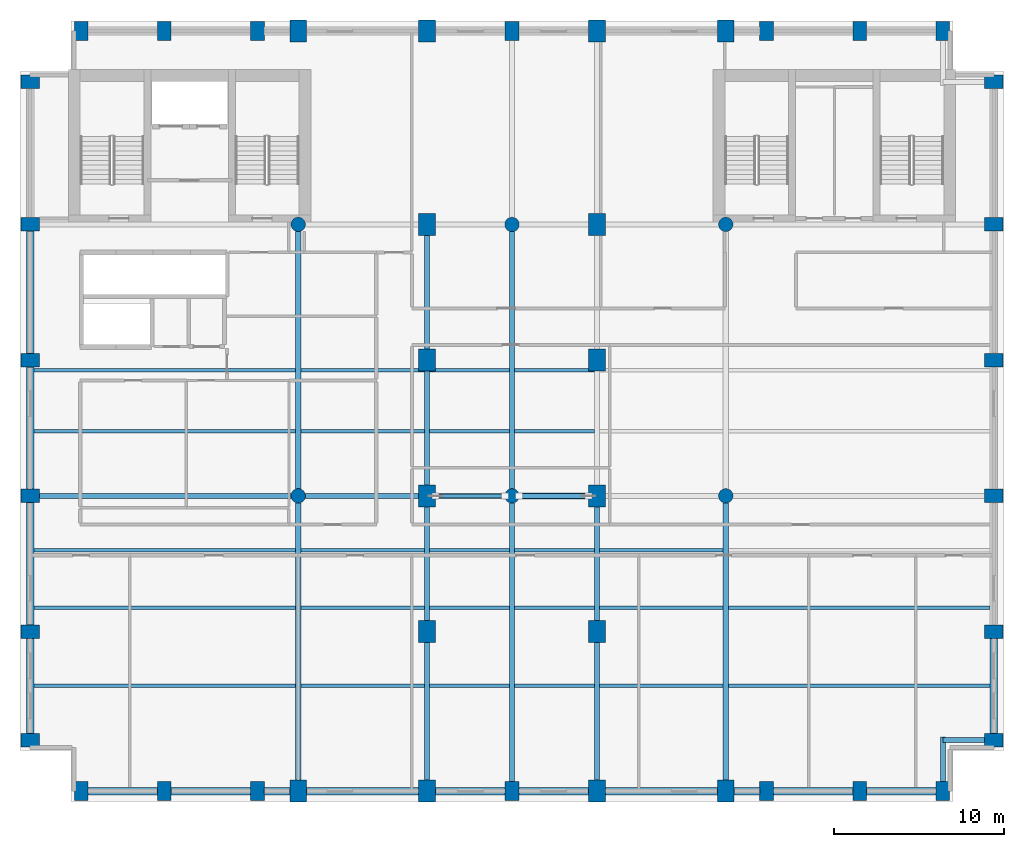
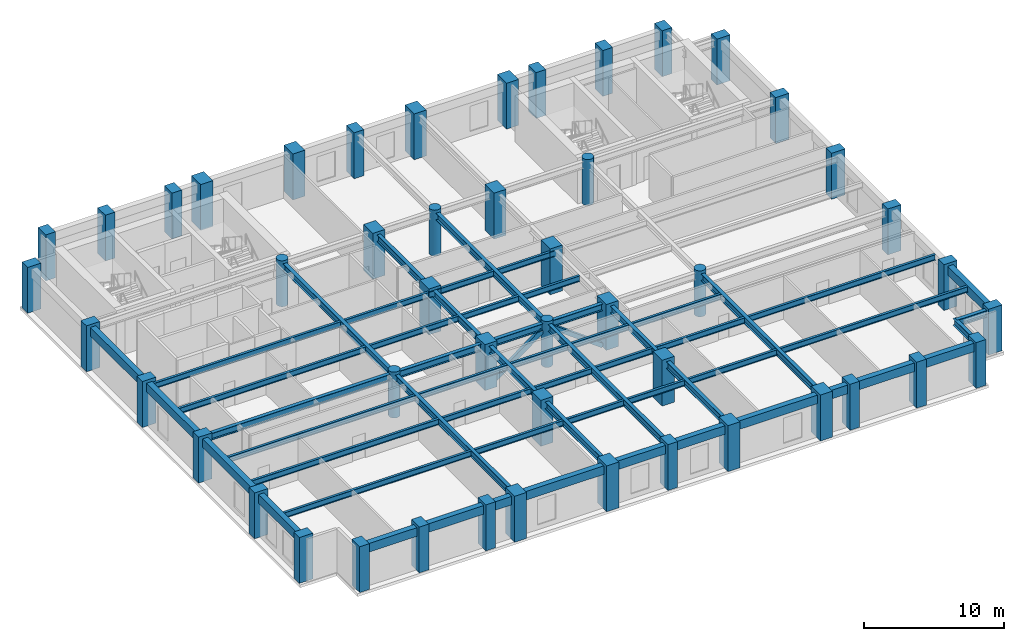
# One storey, part 1 of 10: 54 beams, 48 columns, 2 members.
"""IFC4 building model written with IfcOpenShell, lengths in metres."""

import ifcopenshell
import ifcopenshell.guid

model = None  # the IFC model being written
_history = None  # IfcOwnerHistory: only IFC2X3 demands one
_inside = {}  # id of a spatial element -> (the spatial element, [elements in it])
_under = {}  # id of a project, library or spatial element -> (it, [spatial elements below it])
_declared = {}  # id of a project -> (the project, [libraries it declares])
_typed = {}  # id of a type object -> (the type object, [elements of that type])
_made_of = {}  # id of a material, layer set ... -> (it, [elements and type objects made of it])


def new_model(schema):
    """Start an empty IFC model of exactly this schema.

    Asked for "IFC4X3", IfcOpenShell would pick the latest addendum, in which some entities
    have other attributes; the version numbers below select the first issue.
    IFC2X3 requires an IfcOwnerHistory on every rooted entity: one is made here for all.
    """
    global model, _history
    if schema == "IFC4X3":
        model = ifcopenshell.file(schema_version=(4, 3, 0, 0))
    else:
        model = ifcopenshell.file(schema=schema)
    _inside.clear()
    _under.clear()
    _declared.clear()
    _typed.clear()
    _made_of.clear()
    _history = None
    if model.schema == "IFC2X3":
        org = make("IfcOrganization", Name="unknown")
        user = make(
            "IfcPersonAndOrganization",
            ThePerson=make("IfcPerson", FamilyName="unknown"),
            TheOrganization=org,
        )
        app = make(
            "IfcApplication",
            ApplicationDeveloper=org,
            Version="unknown",
            ApplicationFullName="unknown",
            ApplicationIdentifier="unknown",
        )
        _history = make(
            "IfcOwnerHistory",
            OwningUser=user,
            OwningApplication=app,
            ChangeAction="ADDED",
            CreationDate=0,
        )
    return model


def make(cls, **values):
    """One entity of the class cls with the attributes given. An attribute that is None is left unset."""
    return model.create_entity(
        cls, **{name: value for name, value in values.items() if value is not None}
    )


def rooted(cls, **values):
    """An entity with a GlobalId (a new one), such as an element, a storey or a relation."""
    return make(cls, GlobalId=ifcopenshell.guid.new(), OwnerHistory=_history, **values)


def si_unit(unit_type, name, prefix=None):
    """IfcSIUnit, for example si_unit("LENGTHUNIT", "METRE", prefix="MILLI")."""
    return make("IfcSIUnit", UnitType=unit_type, Prefix=prefix, Name=name)


def assignment(units):
    """IfcUnitAssignment: the units of a project."""
    return None if units is None else make("IfcUnitAssignment", Units=units)


def point(xyz):
    """IfcCartesianPoint."""
    return None if xyz is None else make("IfcCartesianPoint", Coordinates=xyz)


def direction(xyz):
    """IfcDirection."""
    return None if xyz is None else make("IfcDirection", DirectionRatios=xyz)


def frame(location, z_axis=None, x_axis=None):
    """IfcAxis2Placement3D, a coordinate frame: its origin and axes. An axis left out is left unset."""
    return make(
        "IfcAxis2Placement3D",
        Location=point(location),
        Axis=direction(z_axis),
        RefDirection=direction(x_axis),
    )


def frame_2d(location, x_axis=None):
    """IfcAxis2Placement2D, a coordinate frame in the plane: its origin and x axis."""
    return make(
        "IfcAxis2Placement2D", Location=point(location), RefDirection=direction(x_axis)
    )


def origin():
    """The frame at (0, 0, 0) with its axes left unset."""
    return frame((0.0, 0.0, 0.0))


def origin_2d():
    """The frame at (0, 0) in the plane with its x axis left unset."""
    return frame_2d((0.0, 0.0))


def place(relative_to, where):
    """IfcLocalPlacement: puts the frame where relative to a parent placement (None: the world)."""
    return make(
        "IfcLocalPlacement", PlacementRelTo=relative_to, RelativePlacement=where
    )


def context(
    kind, dimensions, precision=None, world=None, true_north=None, identifier=None
):
    """IfcGeometricRepresentationContext, for example the 3D "Model" context."""
    return make(
        "IfcGeometricRepresentationContext",
        ContextIdentifier=identifier,
        ContextType=kind,
        CoordinateSpaceDimension=dimensions,
        Precision=precision,
        WorldCoordinateSystem=world,
        TrueNorth=true_north,
    )


def subcontext(parent, identifier, kind, view, scale=None):
    """IfcGeometricRepresentationSubContext, for example "Body" below "Model"."""
    return make(
        "IfcGeometricRepresentationSubContext",
        ContextIdentifier=identifier,
        ContextType=kind,
        ParentContext=parent,
        TargetScale=scale,
        TargetView=view,
    )


def project(units=None, contexts=None):
    """IfcProject with its units and contexts."""
    return rooted(
        "IfcProject",
        Name="project",
        RepresentationContexts=contexts,
        UnitsInContext=assignment(units),
    )


def spatial(cls, under=None, at=None, **own):
    """A site, building, storey or space (cls), placed at a placement, below another one or the project."""
    s = rooted(cls, ObjectPlacement=at, **own)
    if under is not None:
        _under.setdefault(under.id(), (under, []))[1].append(s)
    return s


def profile(cls, at=None, kind="AREA", **sizes):
    """A parametric profile (cls). Its sizes go by their IFC names, for example OverallWidth=200.0."""
    return make(cls, ProfileType=kind, Position=at, **sizes)


def rectangle(**sizes):
    """IfcRectangleProfileDef."""
    return profile("IfcRectangleProfileDef", **sizes)


def hollow_rectangle(**sizes):
    """IfcRectangleHollowProfileDef."""
    return profile("IfcRectangleHollowProfileDef", **sizes)


def circle(**sizes):
    """IfcCircleProfileDef."""
    return profile("IfcCircleProfileDef", **sizes)


def i_section(**sizes):
    """IfcIShapeProfileDef."""
    return profile("IfcIShapeProfileDef", **sizes)


def extrude(swept, where, along, depth):
    """IfcExtrudedAreaSolid: the profile swept, set in the frame where, extruded along a direction by depth."""
    return make(
        "IfcExtrudedAreaSolid",
        SweptArea=swept,
        Position=where,
        ExtrudedDirection=direction(along),
        Depth=depth,
    )


def shape(context_of_items, identifier, shape_type, items):
    """IfcShapeRepresentation: the items that make up one representation, for example the "Body"."""
    return make(
        "IfcShapeRepresentation",
        ContextOfItems=context_of_items,
        RepresentationIdentifier=identifier,
        RepresentationType=shape_type,
        Items=items,
    )


def material(Name=None, Category=None):
    """IfcMaterial."""
    return make("IfcMaterial", Name=Name, Category=Category)


def material_profile(
    of_material, cross_section, Name=None, Category=None, Priority=None
):
    """IfcMaterialProfile: a cross section and its material."""
    return make(
        "IfcMaterialProfile",
        Name=Name,
        Material=of_material,
        Profile=cross_section,
        Priority=Priority,
        Category=Category,
    )


def profile_set(profiles, Name=None, composite=None):
    """IfcMaterialProfileSet."""
    return make(
        "IfcMaterialProfileSet",
        Name=Name,
        MaterialProfiles=profiles,
        CompositeProfile=composite,
    )


def made_of(thing, what):
    """Note that an element or type object is made of a material, layer set ...; save() writes the relation."""
    if what is not None:
        _made_of.setdefault(what.id(), (what, []))[1].append(thing)
    return thing


def type_object(cls, material=None, **own):
    """A type object (cls), such as IfcWallType, which elements share."""
    return made_of(rooted(cls, **own), material)


def element(
    cls,
    number,
    at=None,
    inside=None,
    cuts=None,
    type_object=None,
    material=None,
    context=None,
    identifier="Body",
    shape_type=None,
    held_by="IfcProductDefinitionShape",
    body=None,
    shapes=None,
    **own,
):
    """One element of the class cls, such as IfcWall. Its Tag is "e" and its number.

    at: its placement. inside: the storey or other place that contains it. cuts: it is an
    opening in that element (IfcRelVoidsElement). A single representation is given by context,
    identifier, shape_type and body (its items); several are given by shapes. held_by: the class
    of the entity that holds the representations. save() writes the other relations.
    """
    e = rooted(cls, Tag="e%d" % number, ObjectPlacement=at, **own)
    if body is not None:
        shapes = [shape(context, identifier, shape_type, body)]
    if shapes is not None:
        e.Representation = make(held_by, Representations=shapes)
    if inside is not None:
        _inside.setdefault(inside.id(), (inside, []))[1].append(e)
    if cuts is not None:
        rooted(
            "IfcRelVoidsElement", RelatingBuildingElement=cuts, RelatedOpeningElement=e
        )
    if type_object is not None:
        _typed.setdefault(type_object.id(), (type_object, []))[1].append(e)
    return made_of(e, material)


def aggregate(whole, parts):
    """IfcRelAggregates: a whole, such as a stair, and the parts it consists of."""
    return rooted("IfcRelAggregates", RelatingObject=whole, RelatedObjects=parts)


def save(model, path):
    """Write the relations noted so far, then the file.

    IfcRelAggregates (storeys below a building ...), IfcRelContainedInSpatialStructure (elements
    in a storey), IfcRelDefinesByType, IfcRelAssociatesMaterial and IfcRelDeclares: one each for
    every whole, place, type object, material and project.
    """
    for whole, parts in _under.values():
        aggregate(whole, parts)
    for where, things in _inside.values():
        rooted(
            "IfcRelContainedInSpatialStructure",
            RelatedElements=things,
            RelatingStructure=where,
        )
    for kind, things in _typed.values():
        rooted("IfcRelDefinesByType", RelatedObjects=things, RelatingType=kind)
    for what, things in _made_of.values():
        rooted("IfcRelAssociatesMaterial", RelatedObjects=things, RelatingMaterial=what)
    for by, libraries in _declared.values():
        rooted("IfcRelDeclares", RelatingContext=by, RelatedDefinitions=libraries)
    model.write(path)


model = new_model("IFC4")

# Units and contexts
model_context = context("Model", 3, precision=1e-05, world=origin(), true_north=direction((0.0, 1.0)))
body_context = subcontext(model_context, "Body", "Model", "MODEL_VIEW")
ifc_project = project(units=[si_unit("LENGTHUNIT", "METRE"), si_unit("AREAUNIT", "SQUARE_METRE"), si_unit("VOLUMEUNIT", "CUBIC_METRE"), si_unit("PLANEANGLEUNIT", "RADIAN"), si_unit("MASSUNIT", "GRAM", prefix="KILO")], contexts=[model_context])

# Site, building, storey
site_placement = place(None, origin())
site = spatial("IfcSite", under=ifc_project, at=site_placement, CompositionType="ELEMENT")
building_placement = place(site_placement, origin())
building = spatial("IfcBuilding", under=site, at=building_placement, Name="Sulina Concourse Tower", CompositionType="ELEMENT")
storey_placement = place(building_placement, frame((0.0, 0.0, 210.60009765625)))
storey = spatial("IfcBuildingStorey", under=building, at=storey_placement, Name="L51", CompositionType="ELEMENT", Elevation=210.60009765625)

# Columns
ifc_material_1 = material(Name="Precast concrete C60/75", Category="concrete")
ifc_material_profile_1 = material_profile(ifc_material_1, rectangle(XDim=0.800048828125, YDim=1.10009765625, at=origin_2d()), Name="PC 800x1100")
ifc_profile_set_1 = profile_set([ifc_material_profile_1], Name="Precast concrete C60/75")
column_type_1 = type_object("IfcColumnType", Name="Precast Tube Pier Zone 3 800x1100", PredefinedType="COLUMN", material=ifc_profile_set_1)
for number, where, z_axis, x_axis, name in (
    (1, (3.60009765625, 0.60009765625, 0.0), (0.0, 0.0, 1.0), (1.0, 0.0, 0.0), "L51 structural column TP-S-36"),
    (2, (3.60009765625, 45.39990234375, 0.0), (0.0, 0.0, 1.0), (1.0, 0.0, 0.0), "L51 structural column TP-N-36"),
    (3, (8.5, 0.60009765625, 0.0), (0.0, 0.0, 1.0), (1.0, 0.0, 0.0), "L51 structural column TP-S-85"),
    (4, (8.5, 45.39990234375, 0.0), (0.0, 0.0, 1.0), (1.0, 0.0, 0.0), "L51 structural column TP-N-85"),
    (5, (14.0, 0.60009765625, 0.0), (0.0, 0.0, 1.0), (1.0, 0.0, 0.0), "L51 structural column TP-S-140"),
    (6, (14.0, 45.39990234375, 0.0), (0.0, 0.0, 1.0), (1.0, 0.0, 0.0), "L51 structural column TP-N-140"),
    (7, (29.0, 0.60009765625, 0.0), (0.0, 0.0, 1.0), (1.0, 0.0, 0.0), "L51 structural column TP-S-290"),
    (8, (29.0, 45.39990234375, 0.0), (0.0, 0.0, 1.0), (1.0, 0.0, 0.0), "L51 structural column TP-N-290"),
    (9, (44.0, 0.60009765625, 0.0), (0.0, 0.0, 1.0), (1.0, 0.0, 0.0), "L51 structural column TP-S-440"),
    (10, (44.0, 45.39990234375, 0.0), (0.0, 0.0, 1.0), (1.0, 0.0, 0.0), "L51 structural column TP-N-440"),
    (11, (49.5, 0.60009765625, 0.0), (0.0, 0.0, 1.0), (1.0, 0.0, 0.0), "L51 structural column TP-S-495"),
    (12, (49.5, 45.39990234375, 0.0), (0.0, 0.0, 1.0), (1.0, 0.0, 0.0), "L51 structural column TP-N-495"),
    (13, (54.39990234375, 0.60009765625, 0.0), (0.0, 0.0, 1.0), (1.0, 0.0, 0.0), "L51 structural column TP-S-544"),
    (14, (54.39990234375, 45.39990234375, 0.0), (0.0, 0.0, 1.0), (1.0, 0.0, 0.0), "L51 structural column TP-N-544"),
    (15, (0.60009765625, 3.60009765625, 0.0), (0.0, 0.0, 1.0), (0.0, 1.0, 0.0), "L51 structural column TP-W-36"),
    (16, (57.39990234375, 3.60009765625, 0.0), (0.0, 0.0, 1.0), (0.0, 1.0, 0.0), "L51 structural column TP-E-36"),
    (17, (0.60009765625, 10.0, 0.0), (0.0, 0.0, 1.0), (0.0, 1.0, 0.0), "L51 structural column TP-W-100"),
    (18, (57.39990234375, 10.0, 0.0), (0.0, 0.0, 1.0), (0.0, 1.0, 0.0), "L51 structural column TP-E-100"),
    (19, (0.60009765625, 18.0, 0.0), (0.0, 0.0, 1.0), (0.0, 1.0, 0.0), "L51 structural column TP-W-180"),
    (20, (57.39990234375, 18.0, 0.0), (0.0, 0.0, 1.0), (0.0, 1.0, 0.0), "L51 structural column TP-E-180"),
    (21, (0.60009765625, 26.0, 0.0), (0.0, 0.0, 1.0), (0.0, 1.0, 0.0), "L51 structural column TP-W-260"),
    (22, (57.39990234375, 26.0, 0.0), (0.0, 0.0, 1.0), (0.0, 1.0, 0.0), "L51 structural column TP-E-260"),
    (23, (0.60009765625, 34.0, 0.0), (0.0, 0.0, 1.0), (0.0, 1.0, 0.0), "L51 structural column TP-W-340"),
    (24, (57.39990234375, 34.0, 0.0), (0.0, 0.0, 1.0), (0.0, 1.0, 0.0), "L51 structural column TP-E-340"),
    (25, (0.60009765625, 42.39990234375, 0.0), (0.0, 0.0, 1.0), (0.0, 1.0, 0.0), "L51 structural column TP-W-424"),
    (26, (57.39990234375, 42.39990234375, 0.0), (0.0, 0.0, 1.0), (0.0, 1.0, 0.0), "L51 structural column TP-E-424"),
):
    element("IfcColumn", number, at=place(storey_placement, frame(where, z_axis=z_axis, x_axis=x_axis)), inside=storey, type_object=column_type_1, Name=name, PredefinedType="COLUMN", context=body_context, shape_type="SweptSolid", body=[
        extrude(rectangle(XDim=0.800048828125, YDim=1.10009765625, at=origin_2d()), origin(), (0.0, 0.0, 1.0), 4.0),
    ])
ifc_material_2 = material(Name="Concrete C50/60", Category="concrete")
ifc_material_profile_2 = material_profile(ifc_material_2, circle(Radius=0.425048828125, at=origin_2d()), Name="RC D850")
ifc_profile_set_2 = profile_set([ifc_material_profile_2], Name="Concrete C50/60")
column_type_2 = type_object("IfcColumnType", Name="Upper Interior Circular Column D850", PredefinedType="COLUMN", material=ifc_profile_set_2)
for number, where, z_axis, x_axis, name in (
    (27, (16.39990234375, 18.0, 0.0), (0.0, 0.0, 1.0), (1.0, 0.0, 0.0), "L51 structural column IC-M-164"),
    (28, (16.39990234375, 34.0, 0.0), (0.0, 0.0, 1.0), (1.0, 0.0, 0.0), "L51 structural column IC-N-164"),
    (29, (29.0, 18.0, 0.0), (0.0, 0.0, 1.0), (1.0, 0.0, 0.0), "L51 structural column IC-M-290"),
    (30, (29.0, 34.0, 0.0), (0.0, 0.0, 1.0), (1.0, 0.0, 0.0), "L51 structural column IC-N-290"),
    (31, (41.60009765625, 18.0, 0.0), (0.0, 0.0, 1.0), (1.0, 0.0, 0.0), "L51 structural column IC-M-416"),
    (32, (41.60009765625, 34.0, 0.0), (0.0, 0.0, 1.0), (1.0, 0.0, 0.0), "L51 structural column IC-N-416"),
):
    element("IfcColumn", number, at=place(storey_placement, frame(where, z_axis=z_axis, x_axis=x_axis)), inside=storey, type_object=column_type_2, Name=name, PredefinedType="COLUMN", context=body_context, shape_type="SweptSolid", body=[
        extrude(circle(Radius=0.425048828125, at=origin_2d()), origin(), (0.0, 0.0, 1.0), 4.0),
    ])
ifc_material_3 = material(Name="Concrete C60/75", Category="concrete")
ifc_material_profile_3 = material_profile(ifc_material_3, rectangle(XDim=1.0, YDim=1.300048828125, at=origin_2d()), Name="RC 1000x1300")
ifc_profile_set_3 = profile_set([ifc_material_profile_3], Name="Concrete C60/75")
column_type_3 = type_object("IfcColumnType", Name="Upper Portal Column 1000x1300", PredefinedType="COLUMN", material=ifc_profile_set_3)
for number, where, z_axis, x_axis, name in (
    (33, (16.39990234375, 0.60009765625, 0.0), (0.0, 0.0, 1.0), (1.0, 0.0, 0.0), "L51 structural column TP-S-164"),
    (34, (16.39990234375, 45.39990234375, 0.0), (0.0, 0.0, 1.0), (1.0, 0.0, 0.0), "L51 structural column TP-N-164"),
    (35, (24.0, 0.60009765625, 0.0), (0.0, 0.0, 1.0), (1.0, 0.0, 0.0), "L51 structural column TP-S-240"),
    (36, (24.0, 45.39990234375, 0.0), (0.0, 0.0, 1.0), (1.0, 0.0, 0.0), "L51 structural column TP-N-240"),
    (37, (34.0, 0.60009765625, 0.0), (0.0, 0.0, 1.0), (1.0, 0.0, 0.0), "L51 structural column TP-S-340"),
    (38, (34.0, 45.39990234375, 0.0), (0.0, 0.0, 1.0), (1.0, 0.0, 0.0), "L51 structural column TP-N-340"),
    (39, (41.60009765625, 0.60009765625, 0.0), (0.0, 0.0, 1.0), (1.0, 0.0, 0.0), "L51 structural column TP-S-416"),
    (40, (41.60009765625, 45.39990234375, 0.0), (0.0, 0.0, 1.0), (1.0, 0.0, 0.0), "L51 structural column TP-N-416"),
    (41, (24.0, 10.0, 0.0), (0.0, 0.0, 1.0), (1.0, 0.0, 0.0), "L51 structural column UP-FW-10"),
    (42, (34.0, 10.0, 0.0), (0.0, 0.0, 1.0), (1.0, 0.0, 0.0), "L51 structural column UP-FE-10"),
    (43, (24.0, 18.0, 0.0), (0.0, 0.0, 1.0), (1.0, 0.0, 0.0), "L51 structural column UP-FW-18"),
    (44, (34.0, 18.0, 0.0), (0.0, 0.0, 1.0), (1.0, 0.0, 0.0), "L51 structural column UP-FE-18"),
    (45, (24.0, 26.0, 0.0), (0.0, 0.0, 1.0), (1.0, 0.0, 0.0), "L51 structural column UP-FW-26"),
    (46, (34.0, 26.0, 0.0), (0.0, 0.0, 1.0), (1.0, 0.0, 0.0), "L51 structural column UP-FE-26"),
    (47, (24.0, 34.0, 0.0), (0.0, 0.0, 1.0), (1.0, 0.0, 0.0), "L51 structural column UP-FW-34"),
    (48, (34.0, 34.0, 0.0), (0.0, 0.0, 1.0), (1.0, 0.0, 0.0), "L51 structural column UP-FE-34"),
):
    element("IfcColumn", number, at=place(storey_placement, frame(where, z_axis=z_axis, x_axis=x_axis)), inside=storey, type_object=column_type_3, Name=name, PredefinedType="COLUMN", context=body_context, shape_type="SweptSolid", body=[
        extrude(rectangle(XDim=1.0, YDim=1.300048828125, at=origin_2d()), origin(), (0.0, 0.0, 1.0), 4.0),
    ])

# Beams
ifc_material_4 = material(Name="Steel S355", Category="steel")
ifc_material_profile_4 = material_profile(ifc_material_4, i_section(OverallWidth=0.199951171875, OverallDepth=0.5, WebThickness=0.01025390625, FlangeThickness=0.01611328125, at=origin_2d()), Name="IPE 500")
ifc_profile_set_4 = profile_set([ifc_material_profile_4], Name="Steel S355")
beam_type_1 = type_object("IfcBeamType", Name="Composite Floor Joist IPE500", PredefinedType="JOIST", material=ifc_profile_set_4)
beam_1_placement = place(storey_placement, frame((0.824951171875, 6.800048828125, 3.5), z_axis=(1.0, 0.0, 0.0), x_axis=(0.0, 1.0, 0.0)))
element("IfcBeam", 49, at=beam_1_placement, inside=storey, type_object=beam_type_1, Name="FJ-J06-1-L51", PredefinedType="JOIST", context=body_context, shape_type="SweptSolid", body=[
    extrude(i_section(OverallWidth=0.199951171875, OverallDepth=0.5, WebThickness=0.01025390625, FlangeThickness=0.01611328125, at=origin_2d()), origin(), (0.0, 0.0, 1.0), 15.425048828125),
])
beam_2_placement = place(storey_placement, frame((16.550048828125, 6.800048828125, 3.5), z_axis=(1.0, 0.0, 0.0), x_axis=(0.0, 1.0, 0.0)))
element("IfcBeam", 50, at=beam_2_placement, inside=storey, type_object=beam_type_1, Name="FJ-J06-2-L51", PredefinedType="JOIST", context=body_context, shape_type="SweptSolid", body=[
    extrude(i_section(OverallWidth=0.199951171875, OverallDepth=0.5, WebThickness=0.01025390625, FlangeThickness=0.01611328125, at=origin_2d()), origin(), (0.0, 0.0, 1.0), 7.300048828125),
])
for number, where, z_axis, x_axis, name in (
    (51, (24.14990234375, 6.800048828125, 3.5), (1.0, 0.0, 0.0), (0.0, 1.0, 0.0), "FJ-J06-3-L51"),
    (52, (29.14990234375, 6.800048828125, 3.5), (1.0, 0.0, 0.0), (0.0, 1.0, 0.0), "FJ-J06-4-L51"),
):
    element("IfcBeam", number, at=place(storey_placement, frame(where, z_axis=z_axis, x_axis=x_axis)), inside=storey, type_object=beam_type_1, Name=name, PredefinedType="JOIST", context=body_context, shape_type="SweptSolid", body=[
        extrude(i_section(OverallWidth=0.199951171875, OverallDepth=0.5, WebThickness=0.01025390625, FlangeThickness=0.01611328125, at=origin_2d()), origin(), (0.0, 0.0, 1.0), 4.7001953125),
    ])
beam_3_placement = place(storey_placement, frame((34.14990234375, 6.800048828125, 3.5), z_axis=(1.0, 0.0, 0.0), x_axis=(0.0, 1.0, 0.0)))
element("IfcBeam", 53, at=beam_3_placement, inside=storey, type_object=beam_type_1, Name="FJ-J06-5-L51", PredefinedType="JOIST", context=body_context, shape_type="SweptSolid", body=[
    extrude(i_section(OverallWidth=0.199951171875, OverallDepth=0.5, WebThickness=0.01025390625, FlangeThickness=0.01611328125, at=origin_2d()), origin(), (0.0, 0.0, 1.0), 7.300048828125),
])
for number, where, z_axis, x_axis, name in (
    (54, (41.75, 6.800048828125, 3.5), (1.0, 0.0, 0.0), (0.0, 1.0, 0.0), "FJ-J06-6-L51"),
    (55, (0.824951171875, 11.39990234375, 3.5), (1.0, 0.0, 0.0), (0.0, 1.0, 0.0), "FJ-J11-1-L51"),
):
    element("IfcBeam", number, at=place(storey_placement, frame(where, z_axis=z_axis, x_axis=x_axis)), inside=storey, type_object=beam_type_1, Name=name, PredefinedType="JOIST", context=body_context, shape_type="SweptSolid", body=[
        extrude(i_section(OverallWidth=0.199951171875, OverallDepth=0.5, WebThickness=0.01025390625, FlangeThickness=0.01611328125, at=origin_2d()), origin(), (0.0, 0.0, 1.0), 15.425048828125),
    ])
beam_4_placement = place(storey_placement, frame((16.550048828125, 11.39990234375, 3.5), z_axis=(1.0, 0.0, 0.0), x_axis=(0.0, 1.0, 0.0)))
element("IfcBeam", 56, at=beam_4_placement, inside=storey, type_object=beam_type_1, Name="FJ-J11-2-L51", PredefinedType="JOIST", context=body_context, shape_type="SweptSolid", body=[
    extrude(i_section(OverallWidth=0.199951171875, OverallDepth=0.5, WebThickness=0.01025390625, FlangeThickness=0.01611328125, at=origin_2d()), origin(), (0.0, 0.0, 1.0), 7.300048828125),
])
for number, where, z_axis, x_axis, name in (
    (57, (24.14990234375, 11.39990234375, 3.5), (1.0, 0.0, 0.0), (0.0, 1.0, 0.0), "FJ-J11-3-L51"),
    (58, (29.14990234375, 11.39990234375, 3.5), (1.0, 0.0, 0.0), (0.0, 1.0, 0.0), "FJ-J11-4-L51"),
):
    element("IfcBeam", number, at=place(storey_placement, frame(where, z_axis=z_axis, x_axis=x_axis)), inside=storey, type_object=beam_type_1, Name=name, PredefinedType="JOIST", context=body_context, shape_type="SweptSolid", body=[
        extrude(i_section(OverallWidth=0.199951171875, OverallDepth=0.5, WebThickness=0.01025390625, FlangeThickness=0.01611328125, at=origin_2d()), origin(), (0.0, 0.0, 1.0), 4.7001953125),
    ])
beam_5_placement = place(storey_placement, frame((34.14990234375, 11.39990234375, 3.5), z_axis=(1.0, 0.0, 0.0), x_axis=(0.0, 1.0, 0.0)))
element("IfcBeam", 59, at=beam_5_placement, inside=storey, type_object=beam_type_1, Name="FJ-J11-5-L51", PredefinedType="JOIST", context=body_context, shape_type="SweptSolid", body=[
    extrude(i_section(OverallWidth=0.199951171875, OverallDepth=0.5, WebThickness=0.01025390625, FlangeThickness=0.01611328125, at=origin_2d()), origin(), (0.0, 0.0, 1.0), 7.300048828125),
])
for number, where, z_axis, x_axis, name in (
    (60, (41.75, 11.39990234375, 3.5), (1.0, 0.0, 0.0), (0.0, 1.0, 0.0), "FJ-J11-6-L51"),
    (61, (0.824951171875, 14.800048828125, 3.5), (1.0, 0.0, 0.0), (0.0, 1.0, 0.0), "FJ-J15-1-L51"),
):
    element("IfcBeam", number, at=place(storey_placement, frame(where, z_axis=z_axis, x_axis=x_axis)), inside=storey, type_object=beam_type_1, Name=name, PredefinedType="JOIST", context=body_context, shape_type="SweptSolid", body=[
        extrude(i_section(OverallWidth=0.199951171875, OverallDepth=0.5, WebThickness=0.01025390625, FlangeThickness=0.01611328125, at=origin_2d()), origin(), (0.0, 0.0, 1.0), 15.425048828125),
    ])
beam_6_placement = place(storey_placement, frame((16.550048828125, 14.800048828125, 3.5), z_axis=(1.0, 0.0, 0.0), x_axis=(0.0, 1.0, 0.0)))
element("IfcBeam", 62, at=beam_6_placement, inside=storey, type_object=beam_type_1, Name="FJ-J15-2-L51", PredefinedType="JOIST", context=body_context, shape_type="SweptSolid", body=[
    extrude(i_section(OverallWidth=0.199951171875, OverallDepth=0.5, WebThickness=0.01025390625, FlangeThickness=0.01611328125, at=origin_2d()), origin(), (0.0, 0.0, 1.0), 7.300048828125),
])
for number, where, z_axis, x_axis, name in (
    (63, (24.14990234375, 14.800048828125, 3.5), (1.0, 0.0, 0.0), (0.0, 1.0, 0.0), "FJ-J15-3-L51"),
    (64, (29.14990234375, 14.800048828125, 3.5), (1.0, 0.0, 0.0), (0.0, 1.0, 0.0), "FJ-J15-4-L51"),
):
    element("IfcBeam", number, at=place(storey_placement, frame(where, z_axis=z_axis, x_axis=x_axis)), inside=storey, type_object=beam_type_1, Name=name, PredefinedType="JOIST", context=body_context, shape_type="SweptSolid", body=[
        extrude(i_section(OverallWidth=0.199951171875, OverallDepth=0.5, WebThickness=0.01025390625, FlangeThickness=0.01611328125, at=origin_2d()), origin(), (0.0, 0.0, 1.0), 4.7001953125),
    ])
beam_7_placement = place(storey_placement, frame((34.14990234375, 14.800048828125, 3.5), z_axis=(1.0, 0.0, 0.0), x_axis=(0.0, 1.0, 0.0)))
element("IfcBeam", 65, at=beam_7_placement, inside=storey, type_object=beam_type_1, Name="FJ-J15-5-L51", PredefinedType="JOIST", context=body_context, shape_type="SweptSolid", body=[
    extrude(i_section(OverallWidth=0.199951171875, OverallDepth=0.5, WebThickness=0.01025390625, FlangeThickness=0.01611328125, at=origin_2d()), origin(), (0.0, 0.0, 1.0), 7.300048828125),
])
beam_8_placement = place(storey_placement, frame((0.824951171875, 21.800048828125, 3.5), z_axis=(1.0, 0.0, 0.0), x_axis=(0.0, 1.0, 0.0)))
element("IfcBeam", 66, at=beam_8_placement, inside=storey, type_object=beam_type_1, Name="FJ-J22-1-L51", PredefinedType="JOIST", context=body_context, shape_type="SweptSolid", body=[
    extrude(i_section(OverallWidth=0.199951171875, OverallDepth=0.5, WebThickness=0.01025390625, FlangeThickness=0.01611328125, at=origin_2d()), origin(), (0.0, 0.0, 1.0), 15.425048828125),
])
beam_9_placement = place(storey_placement, frame((16.550048828125, 21.800048828125, 3.5), z_axis=(1.0, 0.0, 0.0), x_axis=(0.0, 1.0, 0.0)))
element("IfcBeam", 67, at=beam_9_placement, inside=storey, type_object=beam_type_1, Name="FJ-J22-2-L51", PredefinedType="JOIST", context=body_context, shape_type="SweptSolid", body=[
    extrude(i_section(OverallWidth=0.199951171875, OverallDepth=0.5, WebThickness=0.01025390625, FlangeThickness=0.01611328125, at=origin_2d()), origin(), (0.0, 0.0, 1.0), 7.300048828125),
])
for number, where, z_axis, x_axis, name in (
    (68, (24.14990234375, 21.800048828125, 3.5), (1.0, 0.0, 0.0), (0.0, 1.0, 0.0), "FJ-J22-3-L51"),
    (69, (29.14990234375, 21.800048828125, 3.5), (1.0, 0.0, 0.0), (0.0, 1.0, 0.0), "FJ-J22-4-L51"),
):
    element("IfcBeam", number, at=place(storey_placement, frame(where, z_axis=z_axis, x_axis=x_axis)), inside=storey, type_object=beam_type_1, Name=name, PredefinedType="JOIST", context=body_context, shape_type="SweptSolid", body=[
        extrude(i_section(OverallWidth=0.199951171875, OverallDepth=0.5, WebThickness=0.01025390625, FlangeThickness=0.01611328125, at=origin_2d()), origin(), (0.0, 0.0, 1.0), 4.7001953125),
    ])
beam_10_placement = place(storey_placement, frame((0.824951171875, 25.39990234375, 3.5), z_axis=(1.0, 0.0, 0.0), x_axis=(0.0, 1.0, 0.0)))
element("IfcBeam", 70, at=beam_10_placement, inside=storey, type_object=beam_type_1, Name="FJ-J25-1-L51", PredefinedType="JOIST", context=body_context, shape_type="SweptSolid", body=[
    extrude(i_section(OverallWidth=0.199951171875, OverallDepth=0.5, WebThickness=0.01025390625, FlangeThickness=0.01611328125, at=origin_2d()), origin(), (0.0, 0.0, 1.0), 15.425048828125),
])
beam_11_placement = place(storey_placement, frame((16.550048828125, 25.39990234375, 3.5), z_axis=(1.0, 0.0, 0.0), x_axis=(0.0, 1.0, 0.0)))
element("IfcBeam", 71, at=beam_11_placement, inside=storey, type_object=beam_type_1, Name="FJ-J25-2-L51", PredefinedType="JOIST", context=body_context, shape_type="SweptSolid", body=[
    extrude(i_section(OverallWidth=0.199951171875, OverallDepth=0.5, WebThickness=0.01025390625, FlangeThickness=0.01611328125, at=origin_2d()), origin(), (0.0, 0.0, 1.0), 7.300048828125),
])
for number, where, z_axis, x_axis, name in (
    (72, (24.14990234375, 25.39990234375, 3.5), (1.0, 0.0, 0.0), (0.0, 1.0, 0.0), "FJ-J25-3-L51"),
    (73, (29.14990234375, 25.39990234375, 3.5), (1.0, 0.0, 0.0), (0.0, 1.0, 0.0), "FJ-J25-4-L51"),
):
    element("IfcBeam", number, at=place(storey_placement, frame(where, z_axis=z_axis, x_axis=x_axis)), inside=storey, type_object=beam_type_1, Name=name, PredefinedType="JOIST", context=body_context, shape_type="SweptSolid", body=[
        extrude(i_section(OverallWidth=0.199951171875, OverallDepth=0.5, WebThickness=0.01025390625, FlangeThickness=0.01611328125, at=origin_2d()), origin(), (0.0, 0.0, 1.0), 4.7001953125),
    ])
ifc_material_5 = material(Name="Steel S355", Category="steel")
ifc_material_profile_5 = material_profile(ifc_material_5, i_section(OverallWidth=0.300048828125, OverallDepth=0.60009765625, WebThickness=0.015380859375, FlangeThickness=0.030029296875, at=origin_2d()), Name="HE 600 B")
ifc_profile_set_5 = profile_set([ifc_material_profile_5], Name="Steel S355")
beam_type_2 = type_object("IfcBeamType", Name="Floor Primary Girder Zone 3 HE600B", PredefinedType="BEAM", material=ifc_profile_set_5)
beam_12_placement = place(storey_placement, frame((54.39990234375, 3.60009765625, 3.449951171875), z_axis=(1.0, 0.0, 0.0), x_axis=(0.0, 1.0, 0.0)))
element("IfcBeam", 74, at=beam_12_placement, inside=storey, type_object=beam_type_2, Name="TIE-SE-L51", PredefinedType="BEAM", context=body_context, shape_type="SweptSolid", body=[
    extrude(i_section(OverallWidth=0.300048828125, OverallDepth=0.60009765625, WebThickness=0.015380859375, FlangeThickness=0.030029296875, at=origin_2d()), origin(), (0.0, 0.0, 1.0), 2.6201171875),
])
beam_13_placement = place(storey_placement, frame((54.39990234375, 0.97998046875, 3.449951171875), z_axis=(0.0, 1.0, 0.0), x_axis=(-1.0, 0.0, 0.0)))
element("IfcBeam", 75, at=beam_13_placement, inside=storey, type_object=beam_type_2, Name="TIE-SES-L51", PredefinedType="BEAM", context=body_context, shape_type="SweptSolid", body=[
    extrude(i_section(OverallWidth=0.300048828125, OverallDepth=0.60009765625, WebThickness=0.015380859375, FlangeThickness=0.030029296875, at=origin_2d()), origin(), (0.0, 0.0, 1.0), 2.820068359375),
])
beam_14_placement = place(storey_placement, frame((0.97998046875, 18.0, 3.449951171875), z_axis=(1.0, 0.0, 0.0), x_axis=(0.0, 1.0, 0.0)))
element("IfcBeam", 76, at=beam_14_placement, inside=storey, type_object=beam_type_2, Name="FG-EW1-L51", PredefinedType="BEAM", context=body_context, shape_type="SweptSolid", body=[
    extrude(i_section(OverallWidth=0.300048828125, OverallDepth=0.60009765625, WebThickness=0.015380859375, FlangeThickness=0.030029296875, at=origin_2d()), origin(), (0.0, 0.0, 1.0), 15.01513671875),
])
beam_15_placement = place(storey_placement, frame((16.804931640625, 18.0, 3.449951171875), z_axis=(1.0, 0.0, 0.0), x_axis=(0.0, 1.0, 0.0)))
element("IfcBeam", 77, at=beam_15_placement, inside=storey, type_object=beam_type_2, Name="FG-EW2-L51", PredefinedType="BEAM", context=body_context, shape_type="SweptSolid", body=[
    extrude(i_section(OverallWidth=0.300048828125, OverallDepth=0.60009765625, WebThickness=0.015380859375, FlangeThickness=0.030029296875, at=origin_2d()), origin(), (0.0, 0.0, 1.0), 6.715087890625),
])
for number, where, z_axis, x_axis, name in (
    (78, (24.47998046875, 18.0, 3.449951171875), (1.0, 0.0, 0.0), (0.0, 1.0, 0.0), "FG-EW3-L51"),
    (79, (29.405029296875, 18.0, 3.449951171875), (1.0, 0.0, 0.0), (0.0, 1.0, 0.0), "FG-EW4-L51"),
):
    element("IfcBeam", number, at=place(storey_placement, frame(where, z_axis=z_axis, x_axis=x_axis)), inside=storey, type_object=beam_type_2, Name=name, PredefinedType="BEAM", context=body_context, shape_type="SweptSolid", body=[
        extrude(i_section(OverallWidth=0.300048828125, OverallDepth=0.60009765625, WebThickness=0.015380859375, FlangeThickness=0.030029296875, at=origin_2d()), origin(), (0.0, 0.0, 1.0), 4.114990234375),
    ])
beam_16_placement = place(storey_placement, frame((16.39990234375, 1.080078125, 3.449951171875), z_axis=(0.0, 1.0, 0.0), x_axis=(-1.0, 0.0, 0.0)))
element("IfcBeam", 80, at=beam_16_placement, inside=storey, type_object=beam_type_2, Name="FG-NSA-16-L51", PredefinedType="BEAM", context=body_context, shape_type="SweptSolid", body=[
    extrude(i_section(OverallWidth=0.300048828125, OverallDepth=0.60009765625, WebThickness=0.015380859375, FlangeThickness=0.030029296875, at=origin_2d()), origin(), (0.0, 0.0, 1.0), 16.514892578125),
])
beam_17_placement = place(storey_placement, frame((16.39990234375, 18.405029296875, 3.449951171875), z_axis=(0.0, 1.0, 0.0), x_axis=(-1.0, 0.0, 0.0)))
element("IfcBeam", 81, at=beam_17_placement, inside=storey, type_object=beam_type_2, Name="FG-NSB-16-L51", PredefinedType="BEAM", context=body_context, shape_type="SweptSolid", body=[
    extrude(i_section(OverallWidth=0.300048828125, OverallDepth=0.60009765625, WebThickness=0.015380859375, FlangeThickness=0.030029296875, at=origin_2d()), origin(), (0.0, 0.0, 1.0), 15.18994140625),
])
beam_18_placement = place(storey_placement, frame((24.0, 1.080078125, 3.449951171875), z_axis=(0.0, 1.0, 0.0), x_axis=(-1.0, 0.0, 0.0)))
element("IfcBeam", 82, at=beam_18_placement, inside=storey, type_object=beam_type_2, Name="FG-NSA-24-L51", PredefinedType="BEAM", context=body_context, shape_type="SweptSolid", body=[
    extrude(i_section(OverallWidth=0.300048828125, OverallDepth=0.60009765625, WebThickness=0.015380859375, FlangeThickness=0.030029296875, at=origin_2d()), origin(), (0.0, 0.0, 1.0), 16.43994140625),
])
beam_19_placement = place(storey_placement, frame((24.0, 18.47998046875, 3.449951171875), z_axis=(0.0, 1.0, 0.0), x_axis=(-1.0, 0.0, 0.0)))
element("IfcBeam", 83, at=beam_19_placement, inside=storey, type_object=beam_type_2, Name="FG-NSB-24-L51", PredefinedType="BEAM", context=body_context, shape_type="SweptSolid", body=[
    extrude(i_section(OverallWidth=0.300048828125, OverallDepth=0.60009765625, WebThickness=0.015380859375, FlangeThickness=0.030029296875, at=origin_2d()), origin(), (0.0, 0.0, 1.0), 15.0400390625),
])
beam_20_placement = place(storey_placement, frame((29.0, 0.97998046875, 3.449951171875), z_axis=(0.0, 1.0, 0.0), x_axis=(-1.0, 0.0, 0.0)))
element("IfcBeam", 84, at=beam_20_placement, inside=storey, type_object=beam_type_2, Name="FG-NSA-29-L51", PredefinedType="BEAM", context=body_context, shape_type="SweptSolid", body=[
    extrude(i_section(OverallWidth=0.300048828125, OverallDepth=0.60009765625, WebThickness=0.015380859375, FlangeThickness=0.030029296875, at=origin_2d()), origin(), (0.0, 0.0, 1.0), 16.614990234375),
])
beam_21_placement = place(storey_placement, frame((29.0, 18.405029296875, 3.449951171875), z_axis=(0.0, 1.0, 0.0), x_axis=(-1.0, 0.0, 0.0)))
element("IfcBeam", 85, at=beam_21_placement, inside=storey, type_object=beam_type_2, Name="FG-NSB-29-L51", PredefinedType="BEAM", context=body_context, shape_type="SweptSolid", body=[
    extrude(i_section(OverallWidth=0.300048828125, OverallDepth=0.60009765625, WebThickness=0.015380859375, FlangeThickness=0.030029296875, at=origin_2d()), origin(), (0.0, 0.0, 1.0), 15.18994140625),
])
beam_22_placement = place(storey_placement, frame((34.0, 1.080078125, 3.449951171875), z_axis=(0.0, 1.0, 0.0), x_axis=(-1.0, 0.0, 0.0)))
element("IfcBeam", 86, at=beam_22_placement, inside=storey, type_object=beam_type_2, Name="FG-NSA-34-L51", PredefinedType="BEAM", context=body_context, shape_type="SweptSolid", body=[
    extrude(i_section(OverallWidth=0.300048828125, OverallDepth=0.60009765625, WebThickness=0.015380859375, FlangeThickness=0.030029296875, at=origin_2d()), origin(), (0.0, 0.0, 1.0), 16.43994140625),
])
beam_23_placement = place(storey_placement, frame((41.60009765625, 1.080078125, 3.449951171875), z_axis=(0.0, 1.0, 0.0), x_axis=(-1.0, 0.0, 0.0)))
element("IfcBeam", 87, at=beam_23_placement, inside=storey, type_object=beam_type_2, Name="FG-NSA-41-L51", PredefinedType="BEAM", context=body_context, shape_type="SweptSolid", body=[
    extrude(i_section(OverallWidth=0.300048828125, OverallDepth=0.60009765625, WebThickness=0.015380859375, FlangeThickness=0.030029296875, at=origin_2d()), origin(), (0.0, 0.0, 1.0), 16.514892578125),
])
ifc_material_6 = material(Name="Precast concrete C50/60", Category="concrete")
ifc_material_profile_6 = material_profile(ifc_material_6, rectangle(XDim=0.449951171875, YDim=0.75, at=origin_2d()), Name="RC 450x750")
ifc_profile_set_6 = profile_set([ifc_material_profile_6], Name="Precast concrete C50/60")
beam_type_3 = type_object("IfcBeamType", Name="Upper Precast Spandrel Edge Beam 450x750", PredefinedType="BEAM", material=ifc_profile_set_6)
beam_24_placement = place(storey_placement, frame((3.97998046875, 0.60009765625, 3.375), z_axis=(1.0, 0.0, 0.0), x_axis=(0.0, 1.0, 0.0)))
element("IfcBeam", 88, at=beam_24_placement, inside=storey, type_object=beam_type_3, Name="SP-S1-L51", PredefinedType="BEAM", context=body_context, shape_type="SweptSolid", body=[
    extrude(rectangle(XDim=0.449951171875, YDim=0.75, at=origin_2d()), origin(), (0.0, 0.0, 1.0), 4.14013671875),
])
beam_25_placement = place(storey_placement, frame((8.8798828125, 0.60009765625, 3.375), z_axis=(1.0, 0.0, 0.0), x_axis=(0.0, 1.0, 0.0)))
element("IfcBeam", 89, at=beam_25_placement, inside=storey, type_object=beam_type_3, Name="SP-S2-L51", PredefinedType="BEAM", context=body_context, shape_type="SweptSolid", body=[
    extrude(rectangle(XDim=0.449951171875, YDim=0.75, at=origin_2d()), origin(), (0.0, 0.0, 1.0), 4.740234375),
])
beam_26_placement = place(storey_placement, frame((14.3798828125, 0.60009765625, 3.375), z_axis=(1.0, 0.0, 0.0), x_axis=(0.0, 1.0, 0.0)))
element("IfcBeam", 90, at=beam_26_placement, inside=storey, type_object=beam_type_3, Name="SP-S3-L51", PredefinedType="BEAM", context=body_context, shape_type="SweptSolid", body=[
    extrude(rectangle(XDim=0.449951171875, YDim=0.75, at=origin_2d()), origin(), (0.0, 0.0, 1.0), 1.5400390625),
])
beam_27_placement = place(storey_placement, frame((16.8798828125, 0.60009765625, 3.375), z_axis=(1.0, 0.0, 0.0), x_axis=(0.0, 1.0, 0.0)))
element("IfcBeam", 91, at=beam_27_placement, inside=storey, type_object=beam_type_3, Name="SP-S4-L51", PredefinedType="BEAM", context=body_context, shape_type="SweptSolid", body=[
    extrude(rectangle(XDim=0.449951171875, YDim=0.75, at=origin_2d()), origin(), (0.0, 0.0, 1.0), 6.64013671875),
])
for number, where, z_axis, x_axis, name in (
    (92, (24.47998046875, 0.60009765625, 3.375), (1.0, 0.0, 0.0), (0.0, 1.0, 0.0), "SP-S5-L51"),
    (93, (29.3798828125, 0.60009765625, 3.375), (1.0, 0.0, 0.0), (0.0, 1.0, 0.0), "SP-S6-L51"),
):
    element("IfcBeam", number, at=place(storey_placement, frame(where, z_axis=z_axis, x_axis=x_axis)), inside=storey, type_object=beam_type_3, Name=name, PredefinedType="BEAM", context=body_context, shape_type="SweptSolid", body=[
        extrude(rectangle(XDim=0.449951171875, YDim=0.75, at=origin_2d()), origin(), (0.0, 0.0, 1.0), 4.14013671875),
    ])
beam_28_placement = place(storey_placement, frame((34.47998046875, 0.60009765625, 3.375), z_axis=(1.0, 0.0, 0.0), x_axis=(0.0, 1.0, 0.0)))
element("IfcBeam", 94, at=beam_28_placement, inside=storey, type_object=beam_type_3, Name="SP-S7-L51", PredefinedType="BEAM", context=body_context, shape_type="SweptSolid", body=[
    extrude(rectangle(XDim=0.449951171875, YDim=0.75, at=origin_2d()), origin(), (0.0, 0.0, 1.0), 6.64013671875),
])
beam_29_placement = place(storey_placement, frame((42.080078125, 0.60009765625, 3.375), z_axis=(1.0, 0.0, 0.0), x_axis=(0.0, 1.0, 0.0)))
element("IfcBeam", 95, at=beam_29_placement, inside=storey, type_object=beam_type_3, Name="SP-S8-L51", PredefinedType="BEAM", context=body_context, shape_type="SweptSolid", body=[
    extrude(rectangle(XDim=0.449951171875, YDim=0.75, at=origin_2d()), origin(), (0.0, 0.0, 1.0), 1.5400390625),
])
beam_30_placement = place(storey_placement, frame((44.3798828125, 0.60009765625, 3.375), z_axis=(1.0, 0.0, 0.0), x_axis=(0.0, 1.0, 0.0)))
element("IfcBeam", 96, at=beam_30_placement, inside=storey, type_object=beam_type_3, Name="SP-S9-L51", PredefinedType="BEAM", context=body_context, shape_type="SweptSolid", body=[
    extrude(rectangle(XDim=0.449951171875, YDim=0.75, at=origin_2d()), origin(), (0.0, 0.0, 1.0), 4.740234375),
])
beam_31_placement = place(storey_placement, frame((49.8798828125, 0.60009765625, 3.375), z_axis=(1.0, 0.0, 0.0), x_axis=(0.0, 1.0, 0.0)))
element("IfcBeam", 97, at=beam_31_placement, inside=storey, type_object=beam_type_3, Name="SP-S10-L51", PredefinedType="BEAM", context=body_context, shape_type="SweptSolid", body=[
    extrude(rectangle(XDim=0.449951171875, YDim=0.75, at=origin_2d()), origin(), (0.0, 0.0, 1.0), 4.14013671875),
])
beam_32_placement = place(storey_placement, frame((0.60009765625, 3.97998046875, 3.375), z_axis=(0.0, 1.0, 0.0), x_axis=(-1.0, 0.0, 0.0)))
element("IfcBeam", 98, at=beam_32_placement, inside=storey, type_object=beam_type_3, Name="SP-W1-L51", PredefinedType="BEAM", context=body_context, shape_type="SweptSolid", body=[
    extrude(rectangle(XDim=0.449951171875, YDim=0.75, at=origin_2d()), origin(), (0.0, 0.0, 1.0), 5.64013671875),
])
for number, where, z_axis, x_axis, name in (
    (99, (0.60009765625, 10.3798828125, 3.375), (0.0, 1.0, 0.0), (-1.0, 0.0, 0.0), "SP-W2-L51"),
    (100, (0.60009765625, 18.3798828125, 3.375), (0.0, 1.0, 0.0), (-1.0, 0.0, 0.0), "SP-W3-L51"),
    (101, (0.60009765625, 26.3798828125, 3.375), (0.0, 1.0, 0.0), (-1.0, 0.0, 0.0), "SP-W4-L51"),
):
    element("IfcBeam", number, at=place(storey_placement, frame(where, z_axis=z_axis, x_axis=x_axis)), inside=storey, type_object=beam_type_3, Name=name, PredefinedType="BEAM", context=body_context, shape_type="SweptSolid", body=[
        extrude(rectangle(XDim=0.449951171875, YDim=0.75, at=origin_2d()), origin(), (0.0, 0.0, 1.0), 7.240234375),
    ])
beam_33_placement = place(storey_placement, frame((57.39990234375, 3.97998046875, 3.375), z_axis=(0.0, 1.0, 0.0), x_axis=(-1.0, 0.0, 0.0)))
element("IfcBeam", 102, at=beam_33_placement, inside=storey, type_object=beam_type_3, Name="SP-E1-L51", PredefinedType="BEAM", context=body_context, shape_type="SweptSolid", body=[
    extrude(rectangle(XDim=0.449951171875, YDim=0.75, at=origin_2d()), origin(), (0.0, 0.0, 1.0), 5.64013671875),
])

# Members
ifc_material_7 = material(Name="Steel S355", Category="steel")
ifc_material_profile_7 = material_profile(ifc_material_7, hollow_rectangle(XDim=0.25, YDim=0.449951171875, WallThickness=0.01611328125, at=origin_2d()), Name="RHS 450x250x16")
ifc_profile_set_7 = profile_set([ifc_material_profile_7], Name="Steel S355")
member_type_1 = type_object("IfcMemberType", Name="Upper Wind-Portal Diagonal RHS450x250x16", PredefinedType="BRACE", material=ifc_profile_set_7)
member_1_placement = place(storey_placement, frame((24.489990234375, 18.0, 0.119873046875), z_axis=(0.804804914249, 0.0, 0.593539425819), x_axis=(0.0, 1.0, 0.0)))
element("IfcMember", 103, at=member_1_placement, inside=storey, type_object=member_type_1, Name="UBT-DG-1-L51", PredefinedType="BRACE", context=body_context, shape_type="SweptSolid", body=[
    extrude(hollow_rectangle(XDim=0.25, YDim=0.449951171875, WallThickness=0.01611328125, at=origin_2d()), origin(), (0.0, 0.0, 1.0), 5.088134765625),
])
ifc_material_8 = material(Name="Steel S355", Category="steel")
ifc_material_profile_8 = material_profile(ifc_material_8, hollow_rectangle(XDim=0.35009765625, YDim=0.35009765625, WallThickness=0.01611328125, at=origin_2d()), Name="SHS 350x350x16")
ifc_profile_set_8 = profile_set([ifc_material_profile_8], Name="Steel S355")
member_type_2 = type_object("IfcMemberType", Name="Upper Wind-Portal Web Brace SHS350x350x16", PredefinedType="BRACE", material=ifc_profile_set_8)
member_2_placement = place(storey_placement, frame((33.510009765625, 18.0, 0.119873046875), z_axis=(-0.804804914249, 0.0, 0.593539425819), x_axis=(0.0, -1.0, 0.0)))
element("IfcMember", 104, at=member_2_placement, inside=storey, type_object=member_type_2, Name="UBT-DG-2-L51", PredefinedType="BRACE", context=body_context, shape_type="SweptSolid", body=[
    extrude(hollow_rectangle(XDim=0.35009765625, YDim=0.35009765625, WallThickness=0.01611328125, at=origin_2d()), origin(), (0.0, 0.0, 1.0), 5.088134765625),
])

save(model, "model.ifc")
